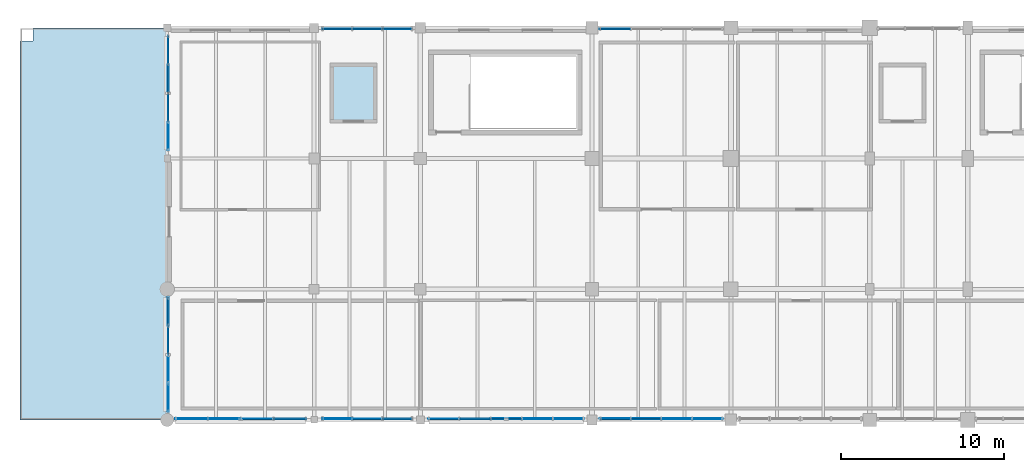
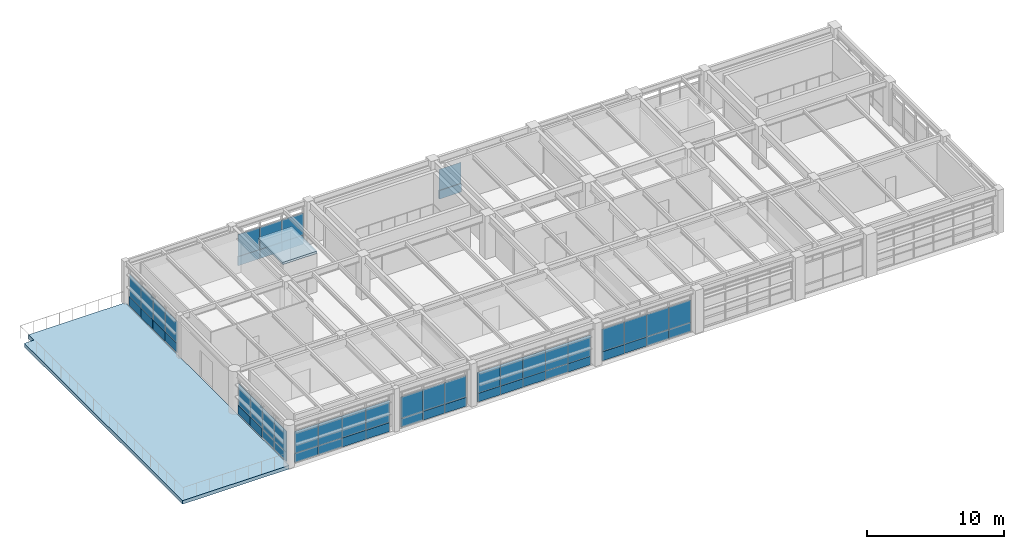
# One storey, part 21 of 26: 56 plates, 2 slabs, 8 elements without a shape of their own.
"""IFC4 building model written with IfcOpenShell, lengths in metres."""

from ifc_helpers import new_model, si_unit, direction, frame, origin, origin_2d, place, context, subcontext, project, spatial, polyline, rectangle, outline, extrude, material, layer, layer_set, type_object, element, aggregate, save


model = new_model("IFC4")

# Units and contexts
model_context = context("Model", 3, precision=1e-05, world=origin(), true_north=direction((0.0, 1.0)))
body_context = subcontext(model_context, "Body", "Model", "MODEL_VIEW")
ifc_project = project(units=[si_unit("LENGTHUNIT", "METRE"), si_unit("AREAUNIT", "SQUARE_METRE"), si_unit("VOLUMEUNIT", "CUBIC_METRE"), si_unit("PLANEANGLEUNIT", "RADIAN"), si_unit("MASSUNIT", "GRAM", prefix="KILO"), si_unit("THERMODYNAMICTEMPERATUREUNIT", "KELVIN"), si_unit("POWERUNIT", "WATT")], contexts=[model_context])

# Site, building, storey
site_placement = place(None, origin())
site = spatial("IfcSite", under=ifc_project, at=site_placement, CompositionType="ELEMENT")
building_placement = place(site_placement, origin())
building = spatial("IfcBuilding", under=site, at=building_placement, Name="Tepalcoro Natatorium and Aquatics Centre", CompositionType="ELEMENT")
storey_placement = place(building_placement, frame((0.0, 0.0, 19.0)))
storey = spatial("IfcBuildingStorey", under=building, at=storey_placement, Name="L04", CompositionType="ELEMENT", Elevation=19.0)

# Curtain wall, plate
ifc_material_1 = material(Name="Bronze-Anodised Extruded Aluminium Alloy EN AW-6063 T6", Category="aluminium")
curtain_wall_type_1 = type_object("IfcCurtainWallType", Name="CW_V2_DIVING", PredefinedType="USERDEFINED", material=ifc_material_1)
curtain_wall_1_placement = place(storey_placement, origin())
curtain_wall_1 = element("IfcCurtainWall", 1, at=curtain_wall_1_placement, inside=storey, type_object=curtain_wall_type_1, Name="V5 L04 S Unitised Curtain Wall Bay 1", ObjectType="FACETED SOLAR GLAZING", PredefinedType="USERDEFINED")
ifc_material_2 = material(Name="Solar-Control Bronze Tempered Low-E Double Glazing", Category="glass")
ifc_layer_1 = layer(ifc_material_2, 0.048095703125)
ifc_layer_set_1 = layer_set([ifc_layer_1], Name="Solar-Control Bronze Tempered Low-E Double Glazing")
plate_type_1 = type_object("IfcPlateType", Name="PL_ACOUSTIC_IGU_48", PredefinedType="CURTAIN_PANEL", material=ifc_layer_set_1)
plate_1_placement = place(storey_placement, frame((119.4951171875, 94.0712890625, 0.85009765625), z_axis=(0.0, 0.0, 1.0), x_axis=(1.0, 0.0, 0.0)))
plate_1 = element("IfcPlate", 2, at=plate_1_placement, type_object=plate_type_1, Name="CW_V2_DIVING Insulated Glazing Unit", PredefinedType="CURTAIN_PANEL", context=body_context, shape_type="SweptSolid", body=[
    extrude(rectangle(XDim=1.989990234375, YDim=0.048095703125, at=origin_2d()), origin(), (0.0, 0.0, 1.0), 1.96240234375),
])

curtain_wall_type_2 = type_object("IfcCurtainWallType", Name="CW_V3_FOYER", PredefinedType="USERDEFINED", material=ifc_material_1)
curtain_wall_2_placement = place(storey_placement, origin())
curtain_wall_2 = element("IfcCurtainWall", 3, at=curtain_wall_2_placement, inside=storey, type_object=curtain_wall_type_2, Name="V5 L04 S Unitised Curtain Wall Bay 2", ObjectType="UNITISED STOREFRONT", PredefinedType="USERDEFINED")
plate_2_placement = place(storey_placement, frame((126.4033203125, 94.0712890625, 0.8310546875), z_axis=(0.0, 0.0, 1.0), x_axis=(1.0, 0.0, 0.0)))
plate_2 = element("IfcPlate", 4, at=plate_2_placement, type_object=plate_type_1, Name="CW_V3_FOYER Insulated Glazing Unit", PredefinedType="CURTAIN_PANEL", context=body_context, shape_type="SweptSolid", body=[
    extrude(rectangle(XDim=1.82666015625, YDim=0.048095703125, at=origin_2d()), origin(), (0.0, 0.0, 1.0), 1.91748046875),
])

curtain_wall_type_3 = type_object("IfcCurtainWallType", Name="CW_V4_VILLAGE", PredefinedType="USERDEFINED", material=ifc_material_1)
curtain_wall_3_placement = place(storey_placement, origin())
curtain_wall_3 = element("IfcCurtainWall", 5, at=curtain_wall_3_placement, inside=storey, type_object=curtain_wall_type_3, Name="V5 L04 S Unitised Curtain Wall Bay 3", ObjectType="UNITISED STOREFRONT", PredefinedType="USERDEFINED")
plate_3_placement = place(storey_placement, frame((136.75, 94.0712890625, 0.81201171875), z_axis=(0.0, 0.0, 1.0), x_axis=(1.0, 0.0, 0.0)))
plate_3 = element("IfcPlate", 6, at=plate_3_placement, type_object=plate_type_1, Name="CW_V4_VILLAGE Insulated Glazing Unit", PredefinedType="CURTAIN_PANEL", context=body_context, shape_type="SweptSolid", body=[
    extrude(rectangle(XDim=1.887939453125, YDim=0.048095703125, at=origin_2d()), origin(), (0.0, 0.0, 1.0), 1.872802734375),
])

curtain_wall_type_4 = type_object("IfcCurtainWallType", Name="CW_V5_LOWER", PredefinedType="USERDEFINED", material=ifc_material_1)
curtain_wall_4_placement = place(storey_placement, origin())
curtain_wall_4 = element("IfcCurtainWall", 7, at=curtain_wall_4_placement, inside=storey, type_object=curtain_wall_type_4, Name="V5 L04 S Unitised Curtain Wall Bay 4", ObjectType="UNITISED STOREFRONT", PredefinedType="USERDEFINED")
plate_4_placement = place(storey_placement, frame((145.3076171875, 94.080078125, 0.86181640625), z_axis=(0.0, 0.0, 1.0), x_axis=(1.0, 0.0, 0.0)))
plate_4 = element("IfcPlate", 8, at=plate_4_placement, type_object=plate_type_1, Name="CW_V5_LOWER Insulated Glazing Unit", PredefinedType="CURTAIN_PANEL", context=body_context, shape_type="SweptSolid", body=[
    extrude(rectangle(XDim=1.864990234375, YDim=0.048095703125, at=origin_2d()), origin(), (0.0, 0.0, 1.0), 1.990234375),
])

curtain_wall_type_5 = type_object("IfcCurtainWallType", Name="CW_LEAN_T1_EW", PredefinedType="USERDEFINED", material=ifc_material_1)
curtain_wall_5_placement = place(storey_placement, origin())
curtain_wall_5 = element("IfcCurtainWall", 9, at=curtain_wall_5_placement, inside=storey, type_object=curtain_wall_type_5, Name="V5 L04 N Unitised Curtain Wall Bay 2", ObjectType="FACETED SOLAR GLAZING", PredefinedType="USERDEFINED")
plate_5_placement = place(storey_placement, frame((126.4033203125, 117.9287109375, 0.85009765625), z_axis=(0.0, 0.0, 1.0), x_axis=(1.0, 0.0, 0.0)))
plate_5 = element("IfcPlate", 10, at=plate_5_placement, type_object=plate_type_1, Name="CW_LEAN_T1_EW Insulated Glazing Unit", PredefinedType="CURTAIN_PANEL", context=body_context, shape_type="SweptSolid", body=[
    extrude(rectangle(XDim=1.82666015625, YDim=0.048095703125, at=origin_2d()), origin(), (0.0, 0.0, 1.0), 1.96240234375),
])

# Curtain wall, plates
curtain_wall_type_6 = type_object("IfcCurtainWallType", Name="CW_V5_UPPER", PredefinedType="USERDEFINED", material=ifc_material_1)
curtain_wall_6_placement = place(storey_placement, origin())
curtain_wall_6 = element("IfcCurtainWall", 11, at=curtain_wall_6_placement, inside=storey, type_object=curtain_wall_type_6, Name="V5 L04 W Unitised Curtain Wall Bay 1", ObjectType="FACETED SOLAR GLAZING", PredefinedType="USERDEFINED")
plate_6_placement = place(storey_placement, frame((116.0712890625, 95.360107421875, 0.8310546875), z_axis=(0.0, 0.0, 1.0), x_axis=(1.0, 0.0, 0.0)))
plate_6 = element("IfcPlate", 12, at=plate_6_placement, type_object=plate_type_1, Name="CW_V5_UPPER Insulated Glazing Unit", PredefinedType="CURTAIN_PANEL", context=body_context, shape_type="SweptSolid", body=[
    extrude(rectangle(XDim=0.048095703125, YDim=1.739990234375, at=origin_2d()), origin(), (0.0, 0.0, 1.0), 1.91748046875),
])
plate_7_placement = place(storey_placement, frame((116.0712890625, 100.639892578125, 0.8310546875), z_axis=(0.0, 0.0, 1.0), x_axis=(1.0, 0.0, 0.0)))
plate_7 = element("IfcPlate", 13, at=plate_7_placement, type_object=plate_type_1, Name="CW_V5_UPPER Insulated Glazing Unit", PredefinedType="CURTAIN_PANEL", context=body_context, shape_type="SweptSolid", body=[
    extrude(rectangle(XDim=0.048095703125, YDim=1.739990234375, at=origin_2d()), origin(), (0.0, 0.0, 1.0), 1.91748046875),
])

# Curtain wall, plate
curtain_wall_7_placement = place(storey_placement, origin())
curtain_wall_7 = element("IfcCurtainWall", 14, at=curtain_wall_7_placement, inside=storey, type_object=curtain_wall_type_5, Name="V5 L04 W Unitised Curtain Wall Bay 3", ObjectType="FACETED SOLAR GLAZING", PredefinedType="USERDEFINED")
plate_8_placement = place(storey_placement, frame((116.0712890625, 114.8798828125, 0.86181640625), z_axis=(0.0, 0.0, 1.0), x_axis=(1.0, 0.0, 0.0)))
plate_8 = element("IfcPlate", 15, at=plate_8_placement, type_object=plate_type_1, Name="CW_LEAN_T1_EW Insulated Glazing Unit", PredefinedType="CURTAIN_PANEL", context=body_context, shape_type="SweptSolid", body=[
    extrude(rectangle(XDim=0.048095703125, YDim=1.739990234375, at=origin_2d()), origin(), (0.0, 0.0, 1.0), 1.990234375),
])

# Plate
ifc_layer_2 = layer(ifc_material_2, 0.028076171875)
ifc_layer_set_2 = layer_set([ifc_layer_2], Name="Solar-Control Bronze Tempered Low-E Double Glazing")
plate_type_2 = type_object("IfcPlateType", Name="PL_BRONZE_IGU_28", PredefinedType="CURTAIN_PANEL", material=ifc_layer_set_2)
plate_9_placement = place(storey_placement, frame((117.485107421875, 94.0712890625, 0.85009765625), z_axis=(0.0, 0.0, 1.0), x_axis=(1.0, 0.0, 0.0)))
plate_9 = element("IfcPlate", 16, at=plate_9_placement, type_object=plate_type_2, Name="CW_V2_DIVING Insulated Glazing Unit", PredefinedType="CURTAIN_PANEL", context=body_context, shape_type="SweptSolid", body=[
    extrude(rectangle(XDim=1.989990234375, YDim=0.028076171875, at=origin_2d()), origin(), (0.0, 0.0, 1.0), 1.96240234375),
])

plate_10_placement = place(storey_placement, frame((123.514892578125, 94.0712890625, 0.85009765625), z_axis=(0.0, 0.0, 1.0), x_axis=(1.0, 0.0, 0.0)))
plate_10 = element("IfcPlate", 17, at=plate_10_placement, type_object=plate_type_2, Name="CW_V2_DIVING Insulated Glazing Unit", PredefinedType="CURTAIN_PANEL", context=body_context, shape_type="SweptSolid", body=[
    extrude(rectangle(XDim=1.989990234375, YDim=0.028076171875, at=origin_2d()), origin(), (0.0, 0.0, 1.0), 1.96240234375),
])

plate_11_placement = place(storey_placement, frame((130.0966796875, 94.0712890625, 0.8310546875), z_axis=(0.0, 0.0, 1.0), x_axis=(1.0, 0.0, 0.0)))
plate_11 = element("IfcPlate", 18, at=plate_11_placement, type_object=plate_type_2, Name="CW_V3_FOYER Insulated Glazing Unit", PredefinedType="CURTAIN_PANEL", context=body_context, shape_type="SweptSolid", body=[
    extrude(rectangle(XDim=1.82666015625, YDim=0.028076171875, at=origin_2d()), origin(), (0.0, 0.0, 1.0), 1.91748046875),
])

plate_12_placement = place(storey_placement, frame((134.842041015625, 94.0712890625, 0.81201171875), z_axis=(0.0, 0.0, 1.0), x_axis=(1.0, 0.0, 0.0)))
plate_12 = element("IfcPlate", 19, at=plate_12_placement, type_object=plate_type_2, Name="CW_V4_VILLAGE Insulated Glazing Unit", PredefinedType="CURTAIN_PANEL", context=body_context, shape_type="SweptSolid", body=[
    extrude(rectangle(XDim=1.887939453125, YDim=0.028076171875, at=origin_2d()), origin(), (0.0, 0.0, 1.0), 1.872802734375),
])

plate_13_placement = place(storey_placement, frame((140.56591796875, 94.0712890625, 0.81201171875), z_axis=(0.0, 0.0, 1.0), x_axis=(1.0, 0.0, 0.0)))
plate_13 = element("IfcPlate", 20, at=plate_13_placement, type_object=plate_type_2, Name="CW_V4_VILLAGE Insulated Glazing Unit", PredefinedType="CURTAIN_PANEL", context=body_context, shape_type="SweptSolid", body=[
    extrude(rectangle(XDim=1.887939453125, YDim=0.028076171875, at=origin_2d()), origin(), (0.0, 0.0, 1.0), 1.872802734375),
])

plate_14_placement = place(storey_placement, frame((143.422607421875, 94.080078125, 0.86181640625), z_axis=(0.0, 0.0, 1.0), x_axis=(1.0, 0.0, 0.0)))
plate_14 = element("IfcPlate", 21, at=plate_14_placement, type_object=plate_type_2, Name="CW_V5_LOWER Insulated Glazing Unit", PredefinedType="CURTAIN_PANEL", context=body_context, shape_type="SweptSolid", body=[
    extrude(rectangle(XDim=1.864990234375, YDim=0.028076171875, at=origin_2d()), origin(), (0.0, 0.0, 1.0), 1.990234375),
])

plate_15_placement = place(storey_placement, frame((149.077392578125, 94.080078125, 0.86181640625), z_axis=(0.0, 0.0, 1.0), x_axis=(1.0, 0.0, 0.0)))
plate_15 = element("IfcPlate", 22, at=plate_15_placement, type_object=plate_type_2, Name="CW_V5_LOWER Insulated Glazing Unit", PredefinedType="CURTAIN_PANEL", context=body_context, shape_type="SweptSolid", body=[
    extrude(rectangle(XDim=1.864990234375, YDim=0.028076171875, at=origin_2d()), origin(), (0.0, 0.0, 1.0), 1.990234375),
])

plate_16_placement = place(storey_placement, frame((130.0966796875, 117.9287109375, 0.85009765625), z_axis=(0.0, 0.0, 1.0), x_axis=(1.0, 0.0, 0.0)))
plate_16 = element("IfcPlate", 23, at=plate_16_placement, type_object=plate_type_2, Name="CW_LEAN_T1_EW Insulated Glazing Unit", PredefinedType="CURTAIN_PANEL", context=body_context, shape_type="SweptSolid", body=[
    extrude(rectangle(XDim=1.82666015625, YDim=0.028076171875, at=origin_2d()), origin(), (0.0, 0.0, 1.0), 1.96240234375),
])

plate_17_placement = place(storey_placement, frame((116.0712890625, 98.8798828125, 0.8310546875), z_axis=(0.0, 0.0, 1.0), x_axis=(1.0, 0.0, 0.0)))
plate_17 = element("IfcPlate", 24, at=plate_17_placement, type_object=plate_type_2, Name="CW_V5_UPPER Insulated Glazing Unit", PredefinedType="CURTAIN_PANEL", context=body_context, shape_type="SweptSolid", body=[
    extrude(rectangle(XDim=0.028076171875, YDim=1.739990234375, at=origin_2d()), origin(), (0.0, 0.0, 1.0), 1.91748046875),
])

plate_18_placement = place(storey_placement, frame((116.0712890625, 113.1201171875, 0.86181640625), z_axis=(0.0, 0.0, 1.0), x_axis=(1.0, 0.0, 0.0)))
plate_18 = element("IfcPlate", 25, at=plate_18_placement, type_object=plate_type_2, Name="CW_LEAN_T1_EW Insulated Glazing Unit", PredefinedType="CURTAIN_PANEL", context=body_context, shape_type="SweptSolid", body=[
    extrude(rectangle(XDim=0.028076171875, YDim=1.739990234375, at=origin_2d()), origin(), (0.0, 0.0, 1.0), 1.990234375),
])

ifc_material_3 = material(Name="Jalisco Cantera Rosa Volcanic Tuff Ashlar Masonry", Category="masonry")
ifc_layer_3 = layer(ifc_material_3, 0.090087890625)
ifc_layer_set_3 = layer_set([ifc_layer_3], Name="Jalisco Cantera Rosa Volcanic Tuff Ashlar Masonry")
plate_type_3 = type_object("IfcPlateType", Name="PL_CANTERA_90", PredefinedType="SHEET", material=ifc_layer_set_3)
plate_19_placement = place(storey_placement, frame((121.5048828125, 94.0712890625, 0.044921875), z_axis=(0.0, 0.0, 1.0), x_axis=(1.0, 0.0, 0.0)))
plate_19 = element("IfcPlate", 26, at=plate_19_placement, type_object=plate_type_3, Name="CW_V2_DIVING Spandrel & Screen Panel", PredefinedType="SHEET", context=body_context, shape_type="SweptSolid", body=[
    extrude(rectangle(XDim=1.989990234375, YDim=0.090087890625, at=origin_2d()), origin(), (0.0, 0.0, 1.0), 0.800048828125),
])

plate_20_placement = place(storey_placement, frame((128.25, 94.0712890625, 0.044921875), z_axis=(0.0, 0.0, 1.0), x_axis=(1.0, 0.0, 0.0)))
plate_20 = element("IfcPlate", 27, at=plate_20_placement, type_object=plate_type_3, Name="CW_V3_FOYER Spandrel & Screen Panel", PredefinedType="SHEET", context=body_context, shape_type="SweptSolid", body=[
    extrude(rectangle(XDim=1.82666015625, YDim=0.090087890625, at=origin_2d()), origin(), (0.0, 0.0, 1.0), 0.781005859375),
])

plate_21_placement = place(storey_placement, frame((132.93408203125, 94.0712890625, 0.044921875), z_axis=(0.0, 0.0, 1.0), x_axis=(1.0, 0.0, 0.0)))
plate_21 = element("IfcPlate", 28, at=plate_21_placement, type_object=plate_type_3, Name="CW_V4_VILLAGE Spandrel & Screen Panel", PredefinedType="SHEET", context=body_context, shape_type="SweptSolid", body=[
    extrude(rectangle(XDim=1.887939453125, YDim=0.090087890625, at=origin_2d()), origin(), (0.0, 0.0, 1.0), 0.761962890625),
])

plate_22_placement = place(storey_placement, frame((126.4033203125, 117.9287109375, 0.044921875), z_axis=(0.0, 0.0, 1.0), x_axis=(1.0, 0.0, 0.0)))
plate_22 = element("IfcPlate", 29, at=plate_22_placement, type_object=plate_type_3, Name="CW_LEAN_T1_EW Spandrel & Screen Panel", PredefinedType="SHEET", context=body_context, shape_type="SweptSolid", body=[
    extrude(rectangle(XDim=1.82666015625, YDim=0.090087890625, at=origin_2d()), origin(), (0.0, 0.0, 1.0), 0.800048828125),
])

plate_23_placement = place(storey_placement, frame((116.0712890625, 98.8798828125, 0.044921875), z_axis=(0.0, 0.0, 1.0), x_axis=(1.0, 0.0, 0.0)))
plate_23 = element("IfcPlate", 30, at=plate_23_placement, type_object=plate_type_3, Name="CW_V5_UPPER Spandrel & Screen Panel", PredefinedType="SHEET", context=body_context, shape_type="SweptSolid", body=[
    extrude(rectangle(XDim=0.090087890625, YDim=1.739990234375, at=origin_2d()), origin(), (0.0, 0.0, 1.0), 0.781005859375),
])

plate_24_placement = place(storey_placement, frame((116.0712890625, 113.1201171875, 0.044921875), z_axis=(0.0, 0.0, 1.0), x_axis=(1.0, 0.0, 0.0)))
plate_24 = element("IfcPlate", 31, at=plate_24_placement, type_object=plate_type_3, Name="CW_LEAN_T1_EW Spandrel & Screen Panel", PredefinedType="SHEET", context=body_context, shape_type="SweptSolid", body=[
    extrude(rectangle(XDim=0.090087890625, YDim=1.739990234375, at=origin_2d()), origin(), (0.0, 0.0, 1.0), 0.811767578125),
])

ifc_material_4 = material(Name="Clear Tempered Low-E Safety Glazing", Category="glass")
ifc_layer_4 = layer(ifc_material_4, 0.011962890625)
ifc_layer_set_4 = layer_set([ifc_layer_4], Name="Clear Tempered Low-E Safety Glazing")
plate_type_4 = type_object("IfcPlateType", Name="PL_GLASS_12", PredefinedType="CURTAIN_PANEL", material=ifc_layer_set_4)
plate_25_placement = place(storey_placement, frame((121.5048828125, 94.0712890625, 0.85009765625), z_axis=(0.0, 0.0, 1.0), x_axis=(1.0, 0.0, 0.0)))
plate_25 = element("IfcPlate", 32, at=plate_25_placement, type_object=plate_type_4, Name="CW_V2_DIVING Insulated Glazing Unit", PredefinedType="CURTAIN_PANEL", context=body_context, shape_type="SweptSolid", body=[
    extrude(rectangle(XDim=1.989990234375, YDim=0.011962890625, at=origin_2d()), origin(), (0.0, 0.0, 1.0), 1.96240234375),
])

plate_26_placement = place(storey_placement, frame((128.25, 94.0712890625, 0.8310546875), z_axis=(0.0, 0.0, 1.0), x_axis=(1.0, 0.0, 0.0)))
plate_26 = element("IfcPlate", 33, at=plate_26_placement, type_object=plate_type_4, Name="CW_V3_FOYER Insulated Glazing Unit", PredefinedType="CURTAIN_PANEL", context=body_context, shape_type="SweptSolid", body=[
    extrude(rectangle(XDim=1.82666015625, YDim=0.011962890625, at=origin_2d()), origin(), (0.0, 0.0, 1.0), 1.91748046875),
])

plate_27_placement = place(storey_placement, frame((132.93408203125, 94.0712890625, 0.81201171875), z_axis=(0.0, 0.0, 1.0), x_axis=(1.0, 0.0, 0.0)))
plate_27 = element("IfcPlate", 34, at=plate_27_placement, type_object=plate_type_4, Name="CW_V4_VILLAGE Insulated Glazing Unit", PredefinedType="CURTAIN_PANEL", context=body_context, shape_type="SweptSolid", body=[
    extrude(rectangle(XDim=1.887939453125, YDim=0.011962890625, at=origin_2d()), origin(), (0.0, 0.0, 1.0), 1.872802734375),
])

plate_28_placement = place(storey_placement, frame((138.657958984375, 94.0712890625, 0.81201171875), z_axis=(0.0, 0.0, 1.0), x_axis=(1.0, 0.0, 0.0)))
plate_28 = element("IfcPlate", 35, at=plate_28_placement, type_object=plate_type_4, Name="CW_V4_VILLAGE Insulated Glazing Unit", PredefinedType="CURTAIN_PANEL", context=body_context, shape_type="SweptSolid", body=[
    extrude(rectangle(XDim=1.887939453125, YDim=0.011962890625, at=origin_2d()), origin(), (0.0, 0.0, 1.0), 1.872802734375),
])

plate_29_placement = place(storey_placement, frame((147.1923828125, 94.080078125, 0.86181640625), z_axis=(0.0, 0.0, 1.0), x_axis=(1.0, 0.0, 0.0)))
plate_29 = element("IfcPlate", 36, at=plate_29_placement, type_object=plate_type_4, Name="CW_V5_LOWER Insulated Glazing Unit", PredefinedType="CURTAIN_PANEL", context=body_context, shape_type="SweptSolid", body=[
    extrude(rectangle(XDim=1.864990234375, YDim=0.011962890625, at=origin_2d()), origin(), (0.0, 0.0, 1.0), 1.990234375),
])

plate_30_placement = place(storey_placement, frame((128.25, 117.9287109375, 0.85009765625), z_axis=(0.0, 0.0, 1.0), x_axis=(1.0, 0.0, 0.0)))
plate_30 = element("IfcPlate", 37, at=plate_30_placement, type_object=plate_type_4, Name="CW_LEAN_T1_EW Insulated Glazing Unit", PredefinedType="CURTAIN_PANEL", context=body_context, shape_type="SweptSolid", body=[
    extrude(rectangle(XDim=1.82666015625, YDim=0.011962890625, at=origin_2d()), origin(), (0.0, 0.0, 1.0), 1.96240234375),
])

# Curtain wall, plate
curtain_wall_type_7 = type_object("IfcCurtainWallType", Name="CW_LEAN_T2_EW", PredefinedType="USERDEFINED", material=ifc_material_1)
curtain_wall_8_placement = place(storey_placement, origin())
curtain_wall_8 = element("IfcCurtainWall", 38, at=curtain_wall_8_placement, inside=storey, type_object=curtain_wall_type_7, Name="V5 L04 N Unitised Curtain Wall Bay 4", ObjectType="FACETED SOLAR GLAZING", PredefinedType="USERDEFINED")
plate_31_placement = place(storey_placement, frame((143.422607421875, 117.919921875, 0.81201171875), z_axis=(0.0, 0.0, 1.0), x_axis=(1.0, 0.0, 0.0)))
plate_31 = element("IfcPlate", 39, at=plate_31_placement, type_object=plate_type_4, Name="CW_LEAN_T2_EW Insulated Glazing Unit", PredefinedType="CURTAIN_PANEL", context=body_context, shape_type="SweptSolid", body=[
    extrude(rectangle(XDim=1.864990234375, YDim=0.011962890625, at=origin_2d()), origin(), (0.0, 0.0, 1.0), 1.872802734375),
])

# Plate
plate_32_placement = place(storey_placement, frame((116.0712890625, 97.1201171875, 0.8310546875), z_axis=(0.0, 0.0, 1.0), x_axis=(1.0, 0.0, 0.0)))
plate_32 = element("IfcPlate", 40, at=plate_32_placement, type_object=plate_type_4, Name="CW_V5_UPPER Insulated Glazing Unit", PredefinedType="CURTAIN_PANEL", context=body_context, shape_type="SweptSolid", body=[
    extrude(rectangle(XDim=0.011962890625, YDim=1.739990234375, at=origin_2d()), origin(), (0.0, 0.0, 1.0), 1.91748046875),
])

plate_33_placement = place(storey_placement, frame((116.0712890625, 111.360107421875, 0.86181640625), z_axis=(0.0, 0.0, 1.0), x_axis=(1.0, 0.0, 0.0)))
plate_33 = element("IfcPlate", 41, at=plate_33_placement, type_object=plate_type_4, Name="CW_LEAN_T1_EW Insulated Glazing Unit", PredefinedType="CURTAIN_PANEL", context=body_context, shape_type="SweptSolid", body=[
    extrude(rectangle(XDim=0.011962890625, YDim=1.739990234375, at=origin_2d()), origin(), (0.0, 0.0, 1.0), 1.990234375),
])

plate_34_placement = place(storey_placement, frame((116.0712890625, 116.639892578125, 0.86181640625), z_axis=(0.0, 0.0, 1.0), x_axis=(1.0, 0.0, 0.0)))
plate_34 = element("IfcPlate", 42, at=plate_34_placement, type_object=plate_type_4, Name="CW_LEAN_T1_EW Insulated Glazing Unit", PredefinedType="CURTAIN_PANEL", context=body_context, shape_type="SweptSolid", body=[
    extrude(rectangle(XDim=0.011962890625, YDim=1.739990234375, at=origin_2d()), origin(), (0.0, 0.0, 1.0), 1.990234375),
])

ifc_material_5 = material(Name="Volcanic Recinto Basalt Ashlar Masonry", Category="masonry")
ifc_layer_5 = layer(ifc_material_5, 0.110107421875)
ifc_layer_set_5 = layer_set([ifc_layer_5], Name="Volcanic Recinto Basalt Ashlar Masonry")
plate_type_5 = type_object("IfcPlateType", Name="PL_RECINTO_110", PredefinedType="SHEET", material=ifc_layer_set_5)
plate_35_placement = place(storey_placement, frame((123.514892578125, 94.0712890625, 0.044921875), z_axis=(0.0, 0.0, 1.0), x_axis=(1.0, 0.0, 0.0)))
plate_35 = element("IfcPlate", 43, at=plate_35_placement, type_object=plate_type_5, Name="CW_V2_DIVING Spandrel & Screen Panel", PredefinedType="SHEET", context=body_context, shape_type="SweptSolid", body=[
    extrude(rectangle(XDim=1.989990234375, YDim=0.110107421875, at=origin_2d()), origin(), (0.0, 0.0, 1.0), 0.800048828125),
])

plate_36_placement = place(storey_placement, frame((130.0966796875, 94.0712890625, 0.044921875), z_axis=(0.0, 0.0, 1.0), x_axis=(1.0, 0.0, 0.0)))
plate_36 = element("IfcPlate", 44, at=plate_36_placement, type_object=plate_type_5, Name="CW_V3_FOYER Spandrel & Screen Panel", PredefinedType="SHEET", context=body_context, shape_type="SweptSolid", body=[
    extrude(rectangle(XDim=1.82666015625, YDim=0.110107421875, at=origin_2d()), origin(), (0.0, 0.0, 1.0), 0.781005859375),
])

plate_37_placement = place(storey_placement, frame((134.842041015625, 94.0712890625, 0.044921875), z_axis=(0.0, 0.0, 1.0), x_axis=(1.0, 0.0, 0.0)))
plate_37 = element("IfcPlate", 45, at=plate_37_placement, type_object=plate_type_5, Name="CW_V4_VILLAGE Spandrel & Screen Panel", PredefinedType="SHEET", context=body_context, shape_type="SweptSolid", body=[
    extrude(rectangle(XDim=1.887939453125, YDim=0.110107421875, at=origin_2d()), origin(), (0.0, 0.0, 1.0), 0.761962890625),
])

plate_38_placement = place(storey_placement, frame((143.422607421875, 94.080078125, 0.044921875), z_axis=(0.0, 0.0, 1.0), x_axis=(1.0, 0.0, 0.0)))
plate_38 = element("IfcPlate", 46, at=plate_38_placement, type_object=plate_type_5, Name="CW_V5_LOWER Spandrel & Screen Panel", PredefinedType="SHEET", context=body_context, shape_type="SweptSolid", body=[
    extrude(rectangle(XDim=1.864990234375, YDim=0.110107421875, at=origin_2d()), origin(), (0.0, 0.0, 1.0), 0.811767578125),
])

plate_39_placement = place(storey_placement, frame((128.25, 117.9287109375, 0.044921875), z_axis=(0.0, 0.0, 1.0), x_axis=(1.0, 0.0, 0.0)))
plate_39 = element("IfcPlate", 47, at=plate_39_placement, type_object=plate_type_5, Name="CW_LEAN_T1_EW Spandrel & Screen Panel", PredefinedType="SHEET", context=body_context, shape_type="SweptSolid", body=[
    extrude(rectangle(XDim=1.82666015625, YDim=0.110107421875, at=origin_2d()), origin(), (0.0, 0.0, 1.0), 0.800048828125),
])

plate_40_placement = place(storey_placement, frame((143.422607421875, 117.919921875, 0.044921875), z_axis=(0.0, 0.0, 1.0), x_axis=(1.0, 0.0, 0.0)))
plate_40 = element("IfcPlate", 48, at=plate_40_placement, type_object=plate_type_5, Name="CW_LEAN_T2_EW Spandrel & Screen Panel", PredefinedType="SHEET", context=body_context, shape_type="SweptSolid", body=[
    extrude(rectangle(XDim=1.864990234375, YDim=0.110107421875, at=origin_2d()), origin(), (0.0, 0.0, 1.0), 0.761962890625),
])

aggregate(curtain_wall_8, [plate_31, plate_40])

plate_41_placement = place(storey_placement, frame((116.0712890625, 100.639892578125, 0.044921875), z_axis=(0.0, 0.0, 1.0), x_axis=(1.0, 0.0, 0.0)))
plate_41 = element("IfcPlate", 49, at=plate_41_placement, type_object=plate_type_5, Name="CW_V5_UPPER Spandrel & Screen Panel", PredefinedType="SHEET", context=body_context, shape_type="SweptSolid", body=[
    extrude(rectangle(XDim=0.110107421875, YDim=1.739990234375, at=origin_2d()), origin(), (0.0, 0.0, 1.0), 0.781005859375),
])

plate_42_placement = place(storey_placement, frame((116.0712890625, 114.8798828125, 0.044921875), z_axis=(0.0, 0.0, 1.0), x_axis=(1.0, 0.0, 0.0)))
plate_42 = element("IfcPlate", 50, at=plate_42_placement, type_object=plate_type_5, Name="CW_LEAN_T1_EW Spandrel & Screen Panel", PredefinedType="SHEET", context=body_context, shape_type="SweptSolid", body=[
    extrude(rectangle(XDim=0.110107421875, YDim=1.739990234375, at=origin_2d()), origin(), (0.0, 0.0, 1.0), 0.811767578125),
])

ifc_layer_6 = layer(ifc_material_1, 0.050048828125)
ifc_layer_set_6 = layer_set([ifc_layer_6], Name="Bronze-Anodised Extruded Aluminium Alloy EN AW-6063 T6")
plate_type_6 = type_object("IfcPlateType", Name="PL_SCREEN_50", PredefinedType="SHEET", material=ifc_layer_set_6)
plate_43_placement = place(storey_placement, frame((117.485107421875, 94.0712890625, 0.044921875), z_axis=(0.0, 0.0, 1.0), x_axis=(1.0, 0.0, 0.0)))
plate_43 = element("IfcPlate", 51, at=plate_43_placement, type_object=plate_type_6, Name="CW_V2_DIVING Spandrel & Screen Panel", PredefinedType="SHEET", context=body_context, shape_type="SweptSolid", body=[
    extrude(rectangle(XDim=1.989990234375, YDim=0.050048828125, at=origin_2d()), origin(), (0.0, 0.0, 1.0), 0.800048828125),
])

plate_44_placement = place(storey_placement, frame((138.657958984375, 94.0712890625, 0.044921875), z_axis=(0.0, 0.0, 1.0), x_axis=(1.0, 0.0, 0.0)))
plate_44 = element("IfcPlate", 52, at=plate_44_placement, type_object=plate_type_6, Name="CW_V4_VILLAGE Spandrel & Screen Panel", PredefinedType="SHEET", context=body_context, shape_type="SweptSolid", body=[
    extrude(rectangle(XDim=1.887939453125, YDim=0.050048828125, at=origin_2d()), origin(), (0.0, 0.0, 1.0), 0.761962890625),
])

plate_45_placement = place(storey_placement, frame((147.1923828125, 94.080078125, 0.044921875), z_axis=(0.0, 0.0, 1.0), x_axis=(1.0, 0.0, 0.0)))
plate_45 = element("IfcPlate", 53, at=plate_45_placement, type_object=plate_type_6, Name="CW_V5_LOWER Spandrel & Screen Panel", PredefinedType="SHEET", context=body_context, shape_type="SweptSolid", body=[
    extrude(rectangle(XDim=1.864990234375, YDim=0.050048828125, at=origin_2d()), origin(), (0.0, 0.0, 1.0), 0.811767578125),
])

plate_46_placement = place(storey_placement, frame((116.0712890625, 95.360107421875, 0.044921875), z_axis=(0.0, 0.0, 1.0), x_axis=(1.0, 0.0, 0.0)))
plate_46 = element("IfcPlate", 54, at=plate_46_placement, type_object=plate_type_6, Name="CW_V5_UPPER Spandrel & Screen Panel", PredefinedType="SHEET", context=body_context, shape_type="SweptSolid", body=[
    extrude(rectangle(XDim=0.050048828125, YDim=1.739990234375, at=origin_2d()), origin(), (0.0, 0.0, 1.0), 0.781005859375),
])

ifc_layer_7 = layer(ifc_material_1, 0.06005859375)
ifc_layer_set_7 = layer_set([ifc_layer_7], Name="Bronze-Anodised Extruded Aluminium Alloy EN AW-6063 T6")
plate_type_7 = type_object("IfcPlateType", Name="PL_SCREEN_60", PredefinedType="SHEET", material=ifc_layer_set_7)
plate_47_placement = place(storey_placement, frame((119.4951171875, 94.0712890625, 0.044921875), z_axis=(0.0, 0.0, 1.0), x_axis=(1.0, 0.0, 0.0)))
plate_47 = element("IfcPlate", 55, at=plate_47_placement, type_object=plate_type_7, Name="CW_V2_DIVING Spandrel & Screen Panel", PredefinedType="SHEET", context=body_context, shape_type="SweptSolid", body=[
    extrude(rectangle(XDim=1.989990234375, YDim=0.06005859375, at=origin_2d()), origin(), (0.0, 0.0, 1.0), 0.800048828125),
])

aggregate(curtain_wall_1, [plate_9, plate_43, plate_1, plate_47, plate_25, plate_19, plate_10, plate_35])

plate_48_placement = place(storey_placement, frame((126.4033203125, 94.0712890625, 0.044921875), z_axis=(0.0, 0.0, 1.0), x_axis=(1.0, 0.0, 0.0)))
plate_48 = element("IfcPlate", 56, at=plate_48_placement, type_object=plate_type_7, Name="CW_V3_FOYER Spandrel & Screen Panel", PredefinedType="SHEET", context=body_context, shape_type="SweptSolid", body=[
    extrude(rectangle(XDim=1.82666015625, YDim=0.06005859375, at=origin_2d()), origin(), (0.0, 0.0, 1.0), 0.781005859375),
])

aggregate(curtain_wall_2, [plate_2, plate_48, plate_26, plate_20, plate_11, plate_36])

plate_49_placement = place(storey_placement, frame((140.56591796875, 94.0712890625, 0.044921875), z_axis=(0.0, 0.0, 1.0), x_axis=(1.0, 0.0, 0.0)))
plate_49 = element("IfcPlate", 57, at=plate_49_placement, type_object=plate_type_7, Name="CW_V4_VILLAGE Spandrel & Screen Panel", PredefinedType="SHEET", context=body_context, shape_type="SweptSolid", body=[
    extrude(rectangle(XDim=1.887939453125, YDim=0.06005859375, at=origin_2d()), origin(), (0.0, 0.0, 1.0), 0.761962890625),
])

plate_50_placement = place(storey_placement, frame((149.077392578125, 94.080078125, 0.044921875), z_axis=(0.0, 0.0, 1.0), x_axis=(1.0, 0.0, 0.0)))
plate_50 = element("IfcPlate", 58, at=plate_50_placement, type_object=plate_type_7, Name="CW_V5_LOWER Spandrel & Screen Panel", PredefinedType="SHEET", context=body_context, shape_type="SweptSolid", body=[
    extrude(rectangle(XDim=1.864990234375, YDim=0.06005859375, at=origin_2d()), origin(), (0.0, 0.0, 1.0), 0.811767578125),
])

plate_51_placement = place(storey_placement, frame((116.0712890625, 97.1201171875, 0.044921875), z_axis=(0.0, 0.0, 1.0), x_axis=(1.0, 0.0, 0.0)))
plate_51 = element("IfcPlate", 59, at=plate_51_placement, type_object=plate_type_7, Name="CW_V5_UPPER Spandrel & Screen Panel", PredefinedType="SHEET", context=body_context, shape_type="SweptSolid", body=[
    extrude(rectangle(XDim=0.06005859375, YDim=1.739990234375, at=origin_2d()), origin(), (0.0, 0.0, 1.0), 0.781005859375),
])

aggregate(curtain_wall_6, [plate_6, plate_46, plate_32, plate_51, plate_17, plate_23, plate_7, plate_41])

plate_52_placement = place(storey_placement, frame((116.0712890625, 111.360107421875, 0.044921875), z_axis=(0.0, 0.0, 1.0), x_axis=(1.0, 0.0, 0.0)))
plate_52 = element("IfcPlate", 60, at=plate_52_placement, type_object=plate_type_7, Name="CW_LEAN_T1_EW Spandrel & Screen Panel", PredefinedType="SHEET", context=body_context, shape_type="SweptSolid", body=[
    extrude(rectangle(XDim=0.06005859375, YDim=1.739990234375, at=origin_2d()), origin(), (0.0, 0.0, 1.0), 0.811767578125),
])

ifc_material_6 = material(Name="Insulated Bronze Anodised Aluminium Spandrel Panel", Category="aluminium")
ifc_layer_8 = layer(ifc_material_6, 0.070068359375)
ifc_layer_set_8 = layer_set([ifc_layer_8], Name="Insulated Bronze Anodised Aluminium Spandrel Panel")
plate_type_8 = type_object("IfcPlateType", Name="PL_SPANDREL_70", PredefinedType="CURTAIN_PANEL", material=ifc_layer_set_8)
plate_53_placement = place(storey_placement, frame((136.75, 94.0712890625, 0.044921875), z_axis=(0.0, 0.0, 1.0), x_axis=(1.0, 0.0, 0.0)))
plate_53 = element("IfcPlate", 61, at=plate_53_placement, type_object=plate_type_8, Name="CW_V4_VILLAGE Spandrel & Screen Panel", PredefinedType="CURTAIN_PANEL", context=body_context, shape_type="SweptSolid", body=[
    extrude(rectangle(XDim=1.887939453125, YDim=0.070068359375, at=origin_2d()), origin(), (0.0, 0.0, 1.0), 0.761962890625),
])

aggregate(curtain_wall_3, [plate_27, plate_21, plate_12, plate_37, plate_3, plate_53, plate_28, plate_44, plate_13, plate_49])

plate_54_placement = place(storey_placement, frame((145.3076171875, 94.080078125, 0.044921875), z_axis=(0.0, 0.0, 1.0), x_axis=(1.0, 0.0, 0.0)))
plate_54 = element("IfcPlate", 62, at=plate_54_placement, type_object=plate_type_8, Name="CW_V5_LOWER Spandrel & Screen Panel", PredefinedType="CURTAIN_PANEL", context=body_context, shape_type="SweptSolid", body=[
    extrude(rectangle(XDim=1.864990234375, YDim=0.070068359375, at=origin_2d()), origin(), (0.0, 0.0, 1.0), 0.811767578125),
])

aggregate(curtain_wall_4, [plate_14, plate_38, plate_4, plate_54, plate_29, plate_45, plate_15, plate_50])

plate_55_placement = place(storey_placement, frame((130.0966796875, 117.9287109375, 0.044921875), z_axis=(0.0, 0.0, 1.0), x_axis=(1.0, 0.0, 0.0)))
plate_55 = element("IfcPlate", 63, at=plate_55_placement, type_object=plate_type_8, Name="CW_LEAN_T1_EW Spandrel & Screen Panel", PredefinedType="CURTAIN_PANEL", context=body_context, shape_type="SweptSolid", body=[
    extrude(rectangle(XDim=1.82666015625, YDim=0.070068359375, at=origin_2d()), origin(), (0.0, 0.0, 1.0), 0.800048828125),
])

aggregate(curtain_wall_5, [plate_5, plate_22, plate_30, plate_39, plate_16, plate_55])

plate_56_placement = place(storey_placement, frame((116.0712890625, 116.639892578125, 0.044921875), z_axis=(0.0, 0.0, 1.0), x_axis=(1.0, 0.0, 0.0)))
plate_56 = element("IfcPlate", 64, at=plate_56_placement, type_object=plate_type_8, Name="CW_LEAN_T1_EW Spandrel & Screen Panel", PredefinedType="CURTAIN_PANEL", context=body_context, shape_type="SweptSolid", body=[
    extrude(rectangle(XDim=0.070068359375, YDim=1.739990234375, at=origin_2d()), origin(), (0.0, 0.0, 1.0), 0.811767578125),
])

aggregate(curtain_wall_7, [plate_33, plate_52, plate_18, plate_24, plate_8, plate_42, plate_34, plate_56])

# Slabs
ifc_material_7 = material(Name="Concrete C35/45 (fc 35 MPa)", Category="concrete")
ifc_layer_9 = layer(ifc_material_7, 0.199951171875)
ifc_layer_set_9 = layer_set([ifc_layer_9], Name="Concrete C35/45 (fc 35 MPa)")
slab_type_1 = type_object("IfcSlabType", Name="SL_LANDING_200", PredefinedType="LANDING", material=ifc_layer_set_9)
slab_1_placement = place(storey_placement, frame((0.0, 0.0, 3.449951171875)))
element("IfcSlab", 65, at=slab_1_placement, inside=storey, type_object=slab_type_1, Name="LF05 Lift Shaft Overrun Cap Slab", PredefinedType="FLOOR", context=body_context, shape_type="SweptSolid", body=[
    extrude(outline(polyline([(125.9599609375, 112.159912109375), (128.840087890625, 112.159912109375), (128.840087890625, 115.840087890625), (125.9599609375, 115.840087890625), (125.9599609375, 112.159912109375)])), origin(), (0.0, 0.0, 1.0), 0.199951171875),
])
ifc_layer_10 = layer(ifc_material_7, 0.320068359375)
ifc_layer_set_10 = layer_set([ifc_layer_10], Name="Concrete C35/45 (fc 35 MPa)")
slab_type_2 = type_object("IfcSlabType", Name="SL_TERRACE_320", PredefinedType="FLOOR", material=ifc_layer_set_10)
slab_2_placement = place(storey_placement, frame((0.0, 0.0, -0.320068359375)))
element("IfcSlab", 66, at=slab_2_placement, inside=storey, type_object=slab_type_2, Name="V5 L04 Planted Altitude Lab Terrace", PredefinedType="FLOOR", context=body_context, shape_type="SweptSolid", body=[
    extrude(outline(polyline([(116.0, 118.0), (116.0, 94.0), (107.0, 94.0), (107.0, 117.199951171875), (107.800048828125, 117.199951171875), (107.800048828125, 118.0), (116.0, 118.0)])), origin(), (0.0, 0.0, 1.0), 0.320068359375),
])

save(model, "model.ifc")
